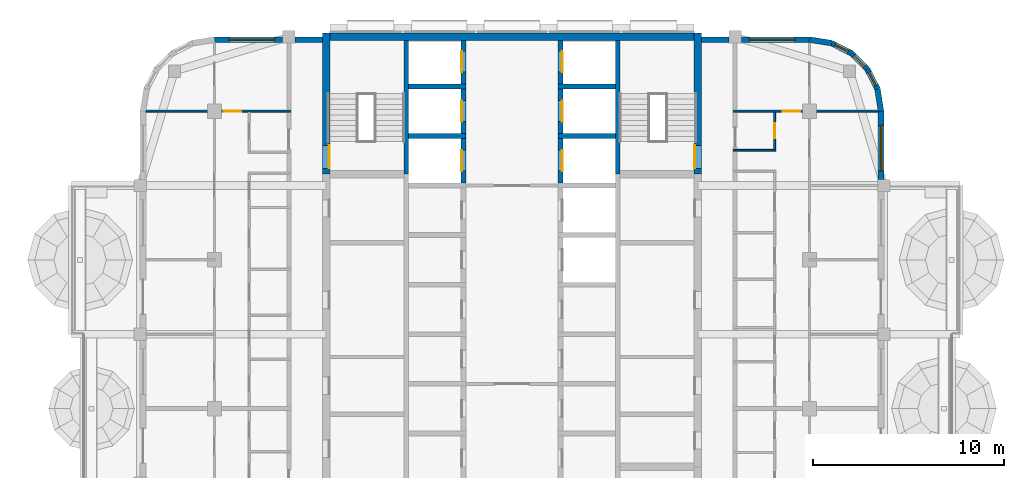
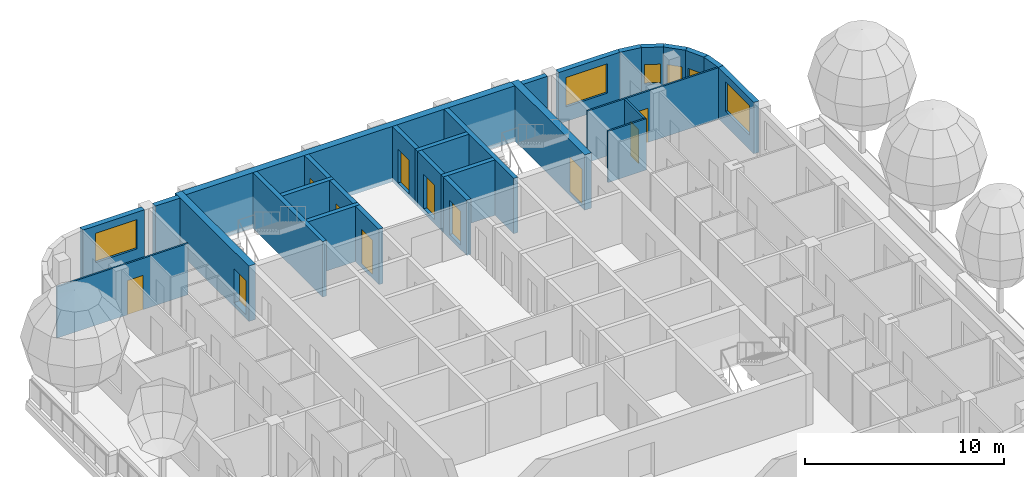
# One storey, part 8 of 13: 29 walls, 11 doors, 6 windows, 17 openings.
"""IFC4 building model written with IfcOpenShell, lengths in metres."""

from ifc_helpers import new_model, si_unit, direction, frame, frame_2d, origin, place, context, subcontext, project, spatial, rectangle, extrude, material, layer, layer_set, type_object, element, fill, save


model = new_model("IFC4")

# Units and contexts
model_context = context("Model", 3, precision=1e-05, world=origin(), true_north=direction((0.0, 1.0)))
body_context = subcontext(model_context, "Body", "Model", "MODEL_VIEW")
ifc_project = project(units=[si_unit("LENGTHUNIT", "METRE"), si_unit("AREAUNIT", "SQUARE_METRE"), si_unit("VOLUMEUNIT", "CUBIC_METRE"), si_unit("PLANEANGLEUNIT", "RADIAN"), si_unit("MASSUNIT", "GRAM", prefix="KILO")], contexts=[model_context])

# Site, building, storey
site_placement = place(None, origin())
site = spatial("IfcSite", under=ifc_project, at=site_placement, CompositionType="ELEMENT")
building_placement = place(site_placement, origin())
building = spatial("IfcBuilding", under=site, at=building_placement, Name="Ludao Terraces", CompositionType="ELEMENT")
storey_placement = place(building_placement, frame((0.0, 0.0, 259.60009765625)))
storey = spatial("IfcBuildingStorey", under=building, at=storey_placement, Name="L71", CompositionType="ELEMENT", Elevation=259.60009765625)

# Wall, opening, door
ifc_material_1 = material(Name="Concrete C50", Category="concrete")
ifc_layer_1 = layer(ifc_material_1, 0.39990234375)
ifc_layer_set_1 = layer_set([ifc_layer_1], Name="Core wall 400 C50")
wall_type_1 = type_object("IfcWallType", Name="Core wall 400 C50", PredefinedType="SOLIDWALL", material=ifc_layer_set_1)
wall_1_placement = place(storey_placement, frame((75.25, 77.300048828125, -0.25), z_axis=(0.0, 0.0, 1.0), x_axis=(0.0, 1.0, 0.0)))
wall_1 = element("IfcWall", 1, at=wall_1_placement, inside=storey, type_object=wall_type_1, Name="Core wall L71 outer-W-S1", PredefinedType="SOLIDWALL", context=body_context, shape_type="SweptSolid", body=[
    extrude(rectangle(XDim=7.39990234375, YDim=0.39990234375, at=frame_2d((3.699951171875, 0.0))), origin(), (0.0, 0.0, 1.0), 3.39990234375),
])
opening_1_placement = place(wall_1_placement, frame((0.300048828125, 0.0, 0.25)))
opening_1 = element("IfcOpeningElement", 2, at=opening_1_placement, cuts=wall_1, Name="Opening R26-073", PredefinedType="OPENING", context=body_context, shape_type="SweptSolid", body=[
    extrude(rectangle(XDim=1.199951171875, YDim=2.10009765625, at=frame_2d((0.60009765625, 1.050048828125))), frame((0.0, 0.2099609375, 0.0), z_axis=(0.0, -1.0, 0.0), x_axis=(1.0, 0.0, 0.0)), (0.0, 0.0, 1.0), 0.419921875),
])
ifc_material_2 = material(Name="Steel Q235", Category="steel")
door_type_1 = type_object("IfcDoorType", Name="INT Stair door 1200", OperationType="DOUBLE_DOOR_SINGLE_SWING", PredefinedType="DOOR", material=ifc_material_2)
door_1_placement = place(opening_1_placement, origin())
door_1 = element("IfcDoor", 3, at=door_1_placement, inside=storey, type_object=door_type_1, Name="DOOR 073", OperationType="DOUBLE_DOOR_SINGLE_SWING", OverallHeight=2.10009765625, OverallWidth=1.199951171875, PredefinedType="DOOR", context=body_context, shape_type="SweptSolid", body=[
    extrude(rectangle(XDim=1.199951171875, YDim=2.10009765625, at=frame_2d((0.60009765625, 1.050048828125))), frame((0.0, -0.134765625, 0.0), z_axis=(0.0, -1.0, 0.0), x_axis=(1.0, 0.0, 0.0)), (0.0, 0.0, 1.0), 0.050048828125),
])
fill(opening_1, door_1)

wall_2_placement = place(storey_placement, frame((94.75, 77.300048828125, -0.25), z_axis=(0.0, 0.0, 1.0), x_axis=(0.0, 1.0, 0.0)))
wall_2 = element("IfcWall", 4, at=wall_2_placement, inside=storey, type_object=wall_type_1, Name="Core wall L71 outer-E-S2", PredefinedType="SOLIDWALL", context=body_context, shape_type="SweptSolid", body=[
    extrude(rectangle(XDim=7.39990234375, YDim=0.39990234375, at=frame_2d((3.699951171875, 0.0))), origin(), (0.0, 0.0, 1.0), 3.39990234375),
])
opening_2_placement = place(wall_2_placement, frame((0.300048828125, 0.0, 0.25)))
opening_2 = element("IfcOpeningElement", 5, at=opening_2_placement, cuts=wall_2, Name="Opening R26-074", PredefinedType="OPENING", context=body_context, shape_type="SweptSolid", body=[
    extrude(rectangle(XDim=1.199951171875, YDim=2.10009765625, at=frame_2d((0.60009765625, 1.050048828125))), frame((0.0, 0.2099609375, 0.0), z_axis=(0.0, -1.0, 0.0), x_axis=(1.0, 0.0, 0.0)), (0.0, 0.0, 1.0), 0.419921875),
])
door_2_placement = place(opening_2_placement, origin())
door_2 = element("IfcDoor", 6, at=door_2_placement, inside=storey, type_object=door_type_1, Name="DOOR 074", OperationType="DOUBLE_DOOR_SINGLE_SWING", OverallHeight=2.10009765625, OverallWidth=1.199951171875, PredefinedType="DOOR", context=body_context, shape_type="SweptSolid", body=[
    extrude(rectangle(XDim=1.199951171875, YDim=2.10009765625, at=frame_2d((0.60009765625, 1.050048828125))), frame((0.0, 0.18505859375, 0.0), z_axis=(0.0, -1.0, 0.0), x_axis=(1.0, 0.0, 0.0)), (0.0, 0.0, 1.0), 0.050048828125),
])
fill(opening_2, door_2)

# Wall
wall_3_placement = place(storey_placement, frame((75.449951171875, 84.5, -0.25), z_axis=(0.0, 0.0, 1.0), x_axis=(1.0, 0.0, 0.0)))
element("IfcWall", 7, at=wall_3_placement, inside=storey, type_object=wall_type_1, Name="Core wall L71 outer-N", PredefinedType="SOLIDWALL", context=body_context, shape_type="SweptSolid", body=[
    extrude(rectangle(XDim=19.10009765625, YDim=0.39990234375, at=frame_2d((9.550048828125, 0.0))), origin(), (0.0, 0.0, 1.0), 3.39990234375),
])

# Wall, opening, window
ifc_material_3 = material(Name="Granite cladding", Category="masonry")
ifc_layer_2 = layer(ifc_material_3, 0.0400390625, Category="stone")
ifc_material_4 = material(Name="Mineral wool")
ifc_layer_3 = layer(ifc_material_4, 0.06005859375)
ifc_material_5 = material(Name="Concrete C40", Category="concrete")
ifc_layer_4 = layer(ifc_material_5, 0.199951171875, Category="concrete")
ifc_layer_set_2 = layer_set([ifc_layer_2, ifc_layer_3, ifc_layer_4], Name="ENV Stone-clad wall 300")
wall_type_2 = type_object("IfcWallType", Name="ENV Stone-clad wall 300", PredefinedType="SOLIDWALL", material=ifc_layer_set_2)
wall_4_placement = place(storey_placement, frame((104.35009765625, 77.02490234375, 0.0), z_axis=(0.0, 0.0, 1.0), x_axis=(0.0, 1.0, 0.0)))
wall_4 = element("IfcWall", 8, at=wall_4_placement, inside=storey, type_object=wall_type_2, Name="EW-L71-E5", PredefinedType="SOLIDWALL", context=body_context, shape_type="SweptSolid", body=[
    extrude(rectangle(XDim=3.5751953125, YDim=0.300048828125, at=frame_2d((1.78759765625, 0.0))), origin(), (0.0, 0.0, 1.0), 3.14990234375),
])
opening_3_placement = place(wall_4_placement, frame((0.425048828125, 0.0, 0.89990234375)))
opening_3 = element("IfcOpeningElement", 9, at=opening_3_placement, cuts=wall_4, Name="Opening W1", PredefinedType="OPENING", context=body_context, shape_type="SweptSolid", body=[
    extrude(rectangle(XDim=2.39990234375, YDim=1.800048828125, at=frame_2d((1.199951171875, 0.89990234375))), frame((0.0, 0.16015625, 0.0), z_axis=(0.0, -1.0, 0.0), x_axis=(1.0, 0.0, 0.0)), (0.0, 0.0, 1.0), 0.320068359375),
])
ifc_material_6 = material(Name="Clear glass in aluminium frame", Category="aluminium")
ifc_layer_5 = layer(ifc_material_6, 0.06005859375)
ifc_layer_set_3 = layer_set([ifc_layer_5], Name="ENV Window W1 2400x1800")
window_type_1 = type_object("IfcWindowType", Name="ENV Window W1 2400x1800", PartitioningType="DOUBLE_PANEL_VERTICAL", PredefinedType="WINDOW", material=ifc_layer_set_3)
window_1_placement = place(opening_3_placement, origin())
window_1 = element("IfcWindow", 10, at=window_1_placement, inside=storey, type_object=window_type_1, Name="W-L71-E5-1", OverallHeight=1.800048828125, OverallWidth=2.39990234375, PartitioningType="DOUBLE_PANEL_VERTICAL", PredefinedType="WINDOW", context=body_context, shape_type="SweptSolid", body=[
    extrude(rectangle(XDim=2.39990234375, YDim=1.800048828125, at=frame_2d((1.199951171875, 0.89990234375))), frame((0.0, 0.030029296875, 0.0), z_axis=(0.0, -1.0, 0.0), x_axis=(1.0, 0.0, 0.0)), (0.0, 0.0, 1.0), 0.06005859375),
])
fill(opening_3, window_1)

wall_5_placement = place(storey_placement, frame((69.39990234375, 84.35009765625, 0.0), z_axis=(0.0, 0.0, 1.0), x_axis=(1.0, 0.0, 0.0)))
wall_5 = element("IfcWall", 11, at=wall_5_placement, inside=storey, type_object=wall_type_2, Name="EW-L71-N1", PredefinedType="SOLIDWALL", context=body_context, shape_type="SweptSolid", body=[
    extrude(rectangle(XDim=3.5751953125, YDim=0.300048828125, at=frame_2d((1.78759765625, 0.0))), origin(), (0.0, 0.0, 1.0), 3.14990234375),
])
opening_4_placement = place(wall_5_placement, frame((0.75, 0.0, 0.89990234375)))
opening_4 = element("IfcOpeningElement", 12, at=opening_4_placement, cuts=wall_5, Name="Opening W1", PredefinedType="OPENING", context=body_context, shape_type="SweptSolid", body=[
    extrude(rectangle(XDim=2.39990234375, YDim=1.800048828125, at=frame_2d((1.199951171875, 0.89990234375))), frame((0.0, 0.16015625, 0.0), z_axis=(0.0, -1.0, 0.0), x_axis=(1.0, 0.0, 0.0)), (0.0, 0.0, 1.0), 0.320068359375),
])
window_2_placement = place(opening_4_placement, origin())
window_2 = element("IfcWindow", 13, at=window_2_placement, inside=storey, type_object=window_type_1, Name="W-L71-N1-1", OverallHeight=1.800048828125, OverallWidth=2.39990234375, PartitioningType="DOUBLE_PANEL_VERTICAL", PredefinedType="WINDOW", context=body_context, shape_type="SweptSolid", body=[
    extrude(rectangle(XDim=2.39990234375, YDim=1.800048828125, at=frame_2d((1.199951171875, 0.89990234375))), frame((0.0, 0.030029296875, 0.0), z_axis=(0.0, -1.0, 0.0), x_axis=(1.0, 0.0, 0.0)), (0.0, 0.0, 1.0), 0.06005859375),
])
fill(opening_4, window_2)

# Walls
for number, where, z_axis, x_axis, name in (
    (14, (73.625, 84.35009765625, 0.0), (0.0, 0.0, 1.0), (1.0, 0.0, 0.0), "EW-L71-N2"),
    (15, (94.949951171875, 84.35009765625, 0.0), (0.0, 0.0, 1.0), (1.0, 0.0, 0.0), "EW-L71-N3"),
):
    element("IfcWall", number, at=place(storey_placement, frame(where, z_axis=z_axis, x_axis=x_axis)), inside=storey, type_object=wall_type_2, Name=name, PredefinedType="SOLIDWALL", context=body_context, shape_type="SweptSolid", body=[
        extrude(rectangle(XDim=1.425048828125, YDim=0.300048828125, at=frame_2d((0.71240234375, 0.0))), origin(), (0.0, 0.0, 1.0), 3.14990234375),
    ])

# Wall, opening, window
wall_6_placement = place(storey_placement, frame((97.02490234375, 84.35009765625, 0.0), z_axis=(0.0, 0.0, 1.0), x_axis=(1.0, 0.0, 0.0)))
wall_6 = element("IfcWall", 16, at=wall_6_placement, inside=storey, type_object=wall_type_2, Name="EW-L71-N4", PredefinedType="SOLIDWALL", context=body_context, shape_type="SweptSolid", body=[
    extrude(rectangle(XDim=3.5751953125, YDim=0.300048828125, at=frame_2d((1.78759765625, 0.0))), origin(), (0.0, 0.0, 1.0), 3.14990234375),
])
opening_5_placement = place(wall_6_placement, frame((0.425048828125, 0.0, 0.89990234375)))
opening_5 = element("IfcOpeningElement", 17, at=opening_5_placement, cuts=wall_6, Name="Opening W1", PredefinedType="OPENING", context=body_context, shape_type="SweptSolid", body=[
    extrude(rectangle(XDim=2.39990234375, YDim=1.800048828125, at=frame_2d((1.199951171875, 0.89990234375))), frame((0.0, 0.16015625, 0.0), z_axis=(0.0, -1.0, 0.0), x_axis=(1.0, 0.0, 0.0)), (0.0, 0.0, 1.0), 0.320068359375),
])
window_3_placement = place(opening_5_placement, origin())
window_3 = element("IfcWindow", 18, at=window_3_placement, inside=storey, type_object=window_type_1, Name="W-L71-N4-1", OverallHeight=1.800048828125, OverallWidth=2.39990234375, PartitioningType="DOUBLE_PANEL_VERTICAL", PredefinedType="WINDOW", context=body_context, shape_type="SweptSolid", body=[
    extrude(rectangle(XDim=2.39990234375, YDim=1.800048828125, at=frame_2d((1.199951171875, 0.89990234375))), frame((0.0, 0.030029296875, 0.0), z_axis=(0.0, -1.0, 0.0), x_axis=(1.0, 0.0, 0.0)), (0.0, 0.0, 1.0), 0.06005859375),
])
fill(opening_5, window_3)

# Wall
wall_7_placement = place(storey_placement, frame((104.35009765625, 80.60009765625, 0.0), z_axis=(0.0, 0.0, 1.0), x_axis=(-0.156496880861, 0.987678452879, 0.0)))
element("IfcWall", 19, at=wall_7_placement, inside=storey, type_object=wall_type_2, Name="EW-L71-NE1", PredefinedType="SOLIDWALL", context=body_context, shape_type="SweptSolid", body=[
    extrude(rectangle(XDim=1.173095703125, YDim=0.300048828125, at=frame_2d((0.58642578125, 0.0))), origin(), (0.0, 0.0, 1.0), 3.14990234375),
])

# Wall, opening, window
wall_8_placement = place(storey_placement, frame((104.16650390625, 81.7587890625, 0.0), z_axis=(0.0, 0.0, 1.0), x_axis=(-0.454025524128, 0.890988677504, 0.0)))
wall_8 = element("IfcWall", 20, at=wall_8_placement, inside=storey, type_object=wall_type_2, Name="EW-L71-NE2", PredefinedType="SOLIDWALL", context=body_context, shape_type="SweptSolid", body=[
    extrude(rectangle(XDim=1.17333984375, YDim=0.300048828125, at=frame_2d((0.586669921875, 0.0))), origin(), (0.0, 0.0, 1.0), 3.14990234375),
])
opening_6_placement = place(wall_8_placement, frame((0.1865234375, 0.0, 0.89990234375)))
opening_6 = element("IfcOpeningElement", 21, at=opening_6_placement, cuts=wall_8, Name="Opening W3", PredefinedType="OPENING", context=body_context, shape_type="SweptSolid", body=[
    extrude(rectangle(XDim=0.800048828125, YDim=1.199951171875, at=frame_2d((0.39990234375, 0.60009765625))), frame((0.0, 0.16015625, 0.0), z_axis=(0.0, -1.0, 0.0), x_axis=(1.0, 0.0, 0.0)), (0.0, 0.0, 1.0), 0.320068359375),
])
ifc_layer_6 = layer(ifc_material_6, 0.06005859375)
ifc_layer_set_4 = layer_set([ifc_layer_6], Name="ENV Window W3 800x1200")
window_type_2 = type_object("IfcWindowType", Name="ENV Window W3 800x1200", PartitioningType="SINGLE_PANEL", PredefinedType="WINDOW", material=ifc_layer_set_4)
window_4_placement = place(opening_6_placement, origin())
window_4 = element("IfcWindow", 22, at=window_4_placement, inside=storey, type_object=window_type_2, Name="W-L71-NE2", OverallHeight=1.199951171875, OverallWidth=0.800048828125, PartitioningType="SINGLE_PANEL", PredefinedType="WINDOW", context=body_context, shape_type="SweptSolid", body=[
    extrude(rectangle(XDim=0.800048828125, YDim=1.199951171875, at=frame_2d((0.39990234375, 0.60009765625))), frame((0.0, 0.030029296875, 0.0), z_axis=(0.0, -1.0, 0.0), x_axis=(1.0, 0.0, 0.0)), (0.0, 0.0, 1.0), 0.06005859375),
])
fill(opening_6, window_4)

wall_9_placement = place(storey_placement, frame((103.6337890625, 82.80419921875, 0.0), z_axis=(0.0, 0.0, 1.0), x_axis=(-0.707106781187, 0.707106781187, 0.0)))
wall_9 = element("IfcWall", 23, at=wall_9_placement, inside=storey, type_object=wall_type_2, Name="EW-L71-NE3", PredefinedType="SOLIDWALL", context=body_context, shape_type="SweptSolid", body=[
    extrude(rectangle(XDim=1.173095703125, YDim=0.300048828125, at=frame_2d((0.58642578125, 0.0))), origin(), (0.0, 0.0, 1.0), 3.14990234375),
])
opening_7_placement = place(wall_9_placement, frame((0.1865234375, 0.0, 0.89990234375)))
opening_7 = element("IfcOpeningElement", 24, at=opening_7_placement, cuts=wall_9, Name="Opening W3", PredefinedType="OPENING", context=body_context, shape_type="SweptSolid", body=[
    extrude(rectangle(XDim=0.800048828125, YDim=1.199951171875, at=frame_2d((0.39990234375, 0.60009765625))), frame((0.0, 0.16015625, 0.0), z_axis=(0.0, -1.0, 0.0), x_axis=(1.0, 0.0, 0.0)), (0.0, 0.0, 1.0), 0.320068359375),
])
window_5_placement = place(opening_7_placement, origin())
window_5 = element("IfcWindow", 25, at=window_5_placement, inside=storey, type_object=window_type_2, Name="W-L71-NE3", OverallHeight=1.199951171875, OverallWidth=0.800048828125, PartitioningType="SINGLE_PANEL", PredefinedType="WINDOW", context=body_context, shape_type="SweptSolid", body=[
    extrude(rectangle(XDim=0.800048828125, YDim=1.199951171875, at=frame_2d((0.39990234375, 0.60009765625))), frame((0.0, 0.030029296875, 0.0), z_axis=(0.0, -1.0, 0.0), x_axis=(1.0, 0.0, 0.0)), (0.0, 0.0, 1.0), 0.06005859375),
])
fill(opening_7, window_5)

wall_10_placement = place(storey_placement, frame((102.80419921875, 83.6337890625, 0.0), z_axis=(0.0, 0.0, 1.0), x_axis=(-0.890988677504, 0.454025524128, 0.0)))
wall_10 = element("IfcWall", 26, at=wall_10_placement, inside=storey, type_object=wall_type_2, Name="EW-L71-NE4", PredefinedType="SOLIDWALL", context=body_context, shape_type="SweptSolid", body=[
    extrude(rectangle(XDim=1.17333984375, YDim=0.300048828125, at=frame_2d((0.586669921875, 0.0))), origin(), (0.0, 0.0, 1.0), 3.14990234375),
])
opening_8_placement = place(wall_10_placement, frame((0.1865234375, 0.0, 0.89990234375)))
opening_8 = element("IfcOpeningElement", 27, at=opening_8_placement, cuts=wall_10, Name="Opening W3", PredefinedType="OPENING", context=body_context, shape_type="SweptSolid", body=[
    extrude(rectangle(XDim=0.800048828125, YDim=1.199951171875, at=frame_2d((0.39990234375, 0.60009765625))), frame((0.0, 0.16015625, 0.0), z_axis=(0.0, -1.0, 0.0), x_axis=(1.0, 0.0, 0.0)), (0.0, 0.0, 1.0), 0.320068359375),
])
window_6_placement = place(opening_8_placement, origin())
window_6 = element("IfcWindow", 28, at=window_6_placement, inside=storey, type_object=window_type_2, Name="W-L71-NE4", OverallHeight=1.199951171875, OverallWidth=0.800048828125, PartitioningType="SINGLE_PANEL", PredefinedType="WINDOW", context=body_context, shape_type="SweptSolid", body=[
    extrude(rectangle(XDim=0.800048828125, YDim=1.199951171875, at=frame_2d((0.39990234375, 0.60009765625))), frame((0.0, 0.030029296875, 0.0), z_axis=(0.0, -1.0, 0.0), x_axis=(1.0, 0.0, 0.0)), (0.0, 0.0, 1.0), 0.06005859375),
])
fill(opening_8, window_6)

# Walls
wall_11_placement = place(storey_placement, frame((101.7587890625, 84.16650390625, 0.0), z_axis=(0.0, 0.0, 1.0), x_axis=(-0.987678452879, 0.156496880861, 0.0)))
element("IfcWall", 29, at=wall_11_placement, inside=storey, type_object=wall_type_2, Name="EW-L71-NE5", PredefinedType="SOLIDWALL", context=body_context, shape_type="SweptSolid", body=[
    extrude(rectangle(XDim=1.173095703125, YDim=0.300048828125, at=frame_2d((0.58642578125, 0.0))), origin(), (0.0, 0.0, 1.0), 3.14990234375),
])
ifc_material_7 = material(Name="Gypsum plasterboard", Category="gypsum")
ifc_layer_7 = layer(ifc_material_7, 0.012451171875, Category="gypsum")
ifc_layer_8 = layer(ifc_material_4, 0.06005859375, Name="insulation")
ifc_layer_9 = layer(ifc_material_2, 0.014892578125, Name="stud")
ifc_layer_10 = layer(ifc_material_7, 0.012451171875, Category="gypsum")
ifc_layer_set_5 = layer_set([ifc_layer_7, ifc_layer_8, ifc_layer_9, ifc_layer_10], Name="INT Partition 100")
wall_type_3 = type_object("IfcWallType", Name="INT Partition 100", PredefinedType="PARTITIONING", material=ifc_layer_set_5)
wall_12_placement = place(storey_placement, frame((96.60009765625, 78.550048828125, 0.0), z_axis=(0.0, 0.0, 1.0), x_axis=(1.0, 0.0, 0.0)))
element("IfcWall", 30, at=wall_12_placement, inside=storey, type_object=wall_type_3, Name="PW-L71-PW044", PredefinedType="PARTITIONING", context=body_context, shape_type="SweptSolid", body=[
    extrude(rectangle(XDim=2.219970703125, YDim=0.10009765625, at=frame_2d((1.10986328125, 0.0))), origin(), (0.0, 0.0, 1.0), 3.14990234375),
])

# Wall, opening, door
wall_13_placement = place(storey_placement, frame((65.800048828125, 80.60009765625, 0.0), z_axis=(0.0, 0.0, 1.0), x_axis=(1.0, 0.0, 0.0)))
wall_13 = element("IfcWall", 31, at=wall_13_placement, inside=storey, type_object=wall_type_3, Name="PW-L71-PW045", PredefinedType="PARTITIONING", context=body_context, shape_type="SweptSolid", body=[
    extrude(rectangle(XDim=7.60009765625, YDim=0.10009765625, at=frame_2d((3.800048828125, 0.0))), origin(), (0.0, 0.0, 1.0), 3.14990234375),
])
opening_9_placement = place(wall_13_placement, frame((4.090087890625, 0.0, 0.0)))
opening_9 = element("IfcOpeningElement", 32, at=opening_9_placement, cuts=wall_13, Name="Opening R26-080", PredefinedType="OPENING", context=body_context, shape_type="SweptSolid", body=[
    extrude(rectangle(XDim=0.89990234375, YDim=2.10009765625, at=frame_2d((0.449951171875, 1.050048828125))), frame((0.0, 0.06005859375, 0.0), z_axis=(0.0, -1.0, 0.0), x_axis=(1.0, 0.0, 0.0)), (0.0, 0.0, 1.0), 0.1201171875),
])
ifc_material_8 = material(Name="Timber door leaf", Category="wood")
door_type_2 = type_object("IfcDoorType", Name="INT Room door 900", OperationType="SINGLE_SWING_LEFT", PredefinedType="DOOR", material=ifc_material_8)
door_3_placement = place(opening_9_placement, origin())
door_3 = element("IfcDoor", 33, at=door_3_placement, inside=storey, type_object=door_type_2, Name="DOOR 080", OperationType="SINGLE_SWING_LEFT", OverallHeight=2.10009765625, OverallWidth=0.89990234375, PredefinedType="DOOR", context=body_context, shape_type="SweptSolid", body=[
    extrude(rectangle(XDim=0.89990234375, YDim=2.10009765625, at=frame_2d((0.449951171875, 1.050048828125))), frame((0.0, 0.02490234375, 0.0), z_axis=(0.0, -1.0, 0.0), x_axis=(1.0, 0.0, 0.0)), (0.0, 0.0, 1.0), 0.050048828125),
])
fill(opening_9, door_3)

wall_14_placement = place(storey_placement, frame((96.60009765625, 80.60009765625, 0.0), z_axis=(0.0, 0.0, 1.0), x_axis=(1.0, 0.0, 0.0)))
wall_14 = element("IfcWall", 34, at=wall_14_placement, inside=storey, type_object=wall_type_3, Name="PW-L71-PW046", PredefinedType="PARTITIONING", context=body_context, shape_type="SweptSolid", body=[
    extrude(rectangle(XDim=7.60009765625, YDim=0.10009765625, at=frame_2d((3.800048828125, 0.0))), origin(), (0.0, 0.0, 1.0), 3.14990234375),
])
opening_10_placement = place(wall_14_placement, frame((2.610107421875, 0.0, 0.0)))
opening_10 = element("IfcOpeningElement", 35, at=opening_10_placement, cuts=wall_14, Name="Opening R26-083", PredefinedType="OPENING", context=body_context, shape_type="SweptSolid", body=[
    extrude(rectangle(XDim=0.89990234375, YDim=2.10009765625, at=frame_2d((0.449951171875, 1.050048828125))), frame((0.0, 0.06005859375, 0.0), z_axis=(0.0, -1.0, 0.0), x_axis=(1.0, 0.0, 0.0)), (0.0, 0.0, 1.0), 0.1201171875),
])
door_4_placement = place(opening_10_placement, origin())
door_4 = element("IfcDoor", 36, at=door_4_placement, inside=storey, type_object=door_type_2, Name="DOOR 083", OperationType="SINGLE_SWING_RIGHT", OverallHeight=2.10009765625, OverallWidth=0.89990234375, PredefinedType="DOOR", context=body_context, shape_type="SweptSolid", body=[
    extrude(rectangle(XDim=0.89990234375, YDim=2.10009765625, at=frame_2d((0.449951171875, 1.050048828125))), frame((0.0, 0.02490234375, 0.0), z_axis=(0.0, -1.0, 0.0), x_axis=(1.0, 0.0, 0.0)), (0.0, 0.0, 1.0), 0.050048828125),
])
fill(opening_10, door_4)

wall_15_placement = place(storey_placement, frame((98.77001953125, 78.60009765625, 0.0), z_axis=(0.0, 0.0, 1.0), x_axis=(0.0, 1.0, 0.0)))
wall_15 = element("IfcWall", 37, at=wall_15_placement, inside=storey, type_object=wall_type_3, Name="PW-L71-PW059", PredefinedType="PARTITIONING", context=body_context, shape_type="SweptSolid", body=[
    extrude(rectangle(XDim=1.949951171875, YDim=0.10009765625, at=frame_2d((0.97509765625, 0.0))), origin(), (0.0, 0.0, 1.0), 3.14990234375),
])
opening_11_placement = place(wall_15_placement, frame((0.574951171875, 0.0, 0.0)))
opening_11 = element("IfcOpeningElement", 38, at=opening_11_placement, cuts=wall_15, Name="Opening R26-079", PredefinedType="OPENING", context=body_context, shape_type="SweptSolid", body=[
    extrude(rectangle(XDim=0.800048828125, YDim=2.10009765625, at=frame_2d((0.39990234375, 1.050048828125))), frame((0.0, 0.06005859375, 0.0), z_axis=(0.0, -1.0, 0.0), x_axis=(1.0, 0.0, 0.0)), (0.0, 0.0, 1.0), 0.1201171875),
])
door_type_3 = type_object("IfcDoorType", Name="INT Store door 800", OperationType="SINGLE_SWING_LEFT", PredefinedType="DOOR", material=ifc_material_8)
door_5_placement = place(opening_11_placement, origin())
door_5 = element("IfcDoor", 39, at=door_5_placement, inside=storey, type_object=door_type_3, Name="DOOR 079", OperationType="SINGLE_SWING_LEFT", OverallHeight=2.10009765625, OverallWidth=0.800048828125, PredefinedType="DOOR", context=body_context, shape_type="SweptSolid", body=[
    extrude(rectangle(XDim=0.800048828125, YDim=2.10009765625, at=frame_2d((0.39990234375, 1.050048828125))), frame((0.0, 0.02490234375, 0.0), z_axis=(0.0, -1.0, 0.0), x_axis=(1.0, 0.0, 0.0)), (0.0, 0.0, 1.0), 0.050048828125),
])
fill(opening_11, door_5)

# Walls
ifc_layer_11 = layer(ifc_material_1, 0.25)
ifc_layer_set_6 = layer_set([ifc_layer_11], Name="Shaft wall 250 C50")
wall_type_4 = type_object("IfcWallType", Name="Shaft wall 250 C50", PredefinedType="SOLIDWALL", material=ifc_layer_set_6)
for number, where, z_axis, x_axis, name in (
    (40, (79.449951171875, 77.300048828125, -0.25), (0.0, 0.0, 1.0), (0.0, 1.0, 0.0), "Core wall L71 back-W-S1"),
    (41, (90.550048828125, 77.300048828125, -0.25), (0.0, 0.0, 1.0), (0.0, 1.0, 0.0), "Core wall L71 back-E-S2"),
):
    element("IfcWall", number, at=place(storey_placement, frame(where, z_axis=z_axis, x_axis=x_axis)), inside=storey, type_object=wall_type_4, Name=name, PredefinedType="SOLIDWALL", context=body_context, shape_type="SweptSolid", body=[
        extrude(rectangle(XDim=7.0, YDim=0.25, at=frame_2d((3.5, 0.0))), origin(), (0.0, 0.0, 1.0), 3.39990234375),
    ])

# Wall, opening, door
wall_16_placement = place(storey_placement, frame((82.449951171875, 76.824951171875, -0.25), z_axis=(0.0, 0.0, 1.0), x_axis=(0.0, 1.0, 0.0)))
wall_16 = element("IfcWall", 42, at=wall_16_placement, inside=storey, type_object=wall_type_4, Name="Core wall L71 front-W7", PredefinedType="SOLIDWALL", context=body_context, shape_type="SweptSolid", body=[
    extrude(rectangle(XDim=2.35009765625, YDim=0.25, at=frame_2d((1.175048828125, 0.0))), origin(), (0.0, 0.0, 1.0), 3.39990234375),
])
opening_12_placement = place(wall_16_placement, frame((0.625, 0.0, 0.25)))
opening_12 = element("IfcOpeningElement", 43, at=opening_12_placement, cuts=wall_16, Name="Opening LD-FF1", PredefinedType="OPENING", context=body_context, shape_type="SweptSolid", body=[
    extrude(rectangle(XDim=1.10009765625, YDim=2.10009765625, at=frame_2d((0.550048828125, 1.050048828125))), frame((0.0, 0.135009765625, 0.0), z_axis=(0.0, -1.0, 0.0), x_axis=(1.0, 0.0, 0.0)), (0.0, 0.0, 1.0), 0.27001953125),
])
ifc_material_9 = material(Name="Stainless steel 304", Category="steel")
door_type_4 = type_object("IfcDoorType", Name="INT Lift landing door 1100", OperationType="SLIDING_TO_LEFT", PredefinedType="DOOR", material=ifc_material_9)
door_6_placement = place(opening_12_placement, origin())
door_6 = element("IfcDoor", 44, at=door_6_placement, inside=storey, type_object=door_type_4, Name="LANDING DOOR FF1 L71", OperationType="SLIDING_TO_LEFT", OverallHeight=2.10009765625, OverallWidth=1.10009765625, PredefinedType="DOOR", context=body_context, shape_type="SweptSolid", body=[
    extrude(rectangle(XDim=1.10009765625, YDim=2.10009765625, at=frame_2d((0.550048828125, 1.050048828125))), frame((0.0, 0.10986328125, 0.0), z_axis=(0.0, -1.0, 0.0), x_axis=(1.0, 0.0, 0.0)), (0.0, 0.0, 1.0), 0.050048828125),
])
fill(opening_12, door_6)

# Wall
wall_17_placement = place(storey_placement, frame((79.574951171875, 79.300048828125, -0.25), z_axis=(0.0, 0.0, 1.0), x_axis=(1.0, 0.0, 0.0)))
element("IfcWall", 45, at=wall_17_placement, inside=storey, type_object=wall_type_4, Name="Core wall L71 div-W8", PredefinedType="SOLIDWALL", context=body_context, shape_type="SweptSolid", body=[
    extrude(rectangle(XDim=3.0, YDim=0.25, at=frame_2d((1.5, 0.0))), origin(), (0.0, 0.0, 1.0), 3.39990234375),
])

# Wall, opening, door
wall_18_placement = place(storey_placement, frame((82.449951171875, 79.425048828125, -0.25), z_axis=(0.0, 0.0, 1.0), x_axis=(0.0, 1.0, 0.0)))
wall_18 = element("IfcWall", 46, at=wall_18_placement, inside=storey, type_object=wall_type_4, Name="Core wall L71 front-W8", PredefinedType="SOLIDWALL", context=body_context, shape_type="SweptSolid", body=[
    extrude(rectangle(XDim=2.349853515625, YDim=0.25, at=frame_2d((1.1748046875, 0.0))), origin(), (0.0, 0.0, 1.0), 3.39990234375),
])
opening_13_placement = place(wall_18_placement, frame((0.625, 0.0, 0.25)))
opening_13 = element("IfcOpeningElement", 47, at=opening_13_placement, cuts=wall_18, Name="Opening LD-FF2", PredefinedType="OPENING", context=body_context, shape_type="SweptSolid", body=[
    extrude(rectangle(XDim=1.10009765625, YDim=2.10009765625, at=frame_2d((0.550048828125, 1.050048828125))), frame((0.0, 0.135009765625, 0.0), z_axis=(0.0, -1.0, 0.0), x_axis=(1.0, 0.0, 0.0)), (0.0, 0.0, 1.0), 0.27001953125),
])
door_7_placement = place(opening_13_placement, origin())
door_7 = element("IfcDoor", 48, at=door_7_placement, inside=storey, type_object=door_type_4, Name="LANDING DOOR FF2 L71", OperationType="SLIDING_TO_LEFT", OverallHeight=2.10009765625, OverallWidth=1.10009765625, PredefinedType="DOOR", context=body_context, shape_type="SweptSolid", body=[
    extrude(rectangle(XDim=1.10009765625, YDim=2.10009765625, at=frame_2d((0.550048828125, 1.050048828125))), frame((0.0, 0.10986328125, 0.0), z_axis=(0.0, -1.0, 0.0), x_axis=(1.0, 0.0, 0.0)), (0.0, 0.0, 1.0), 0.050048828125),
])
fill(opening_13, door_7)

# Wall
wall_19_placement = place(storey_placement, frame((79.574951171875, 81.89990234375, -0.25), z_axis=(0.0, 0.0, 1.0), x_axis=(1.0, 0.0, 0.0)))
element("IfcWall", 49, at=wall_19_placement, inside=storey, type_object=wall_type_4, Name="Core wall L71 div-W9", PredefinedType="SOLIDWALL", context=body_context, shape_type="SweptSolid", body=[
    extrude(rectangle(XDim=3.0, YDim=0.25, at=frame_2d((1.5, 0.0))), origin(), (0.0, 0.0, 1.0), 3.39990234375),
])

# Wall, opening, door
wall_20_placement = place(storey_placement, frame((82.449951171875, 82.02490234375, -0.25), z_axis=(0.0, 0.0, 1.0), x_axis=(0.0, 1.0, 0.0)))
wall_20 = element("IfcWall", 50, at=wall_20_placement, inside=storey, type_object=wall_type_4, Name="Core wall L71 front-W9", PredefinedType="SOLIDWALL", context=body_context, shape_type="SweptSolid", body=[
    extrude(rectangle(XDim=2.275146484375, YDim=0.25, at=frame_2d((1.1376953125, 0.0))), origin(), (0.0, 0.0, 1.0), 3.39990234375),
])
opening_14_placement = place(wall_20_placement, frame((0.625, 0.0, 0.25)))
opening_14 = element("IfcOpeningElement", 51, at=opening_14_placement, cuts=wall_20, Name="Opening LD-LB6", PredefinedType="OPENING", context=body_context, shape_type="SweptSolid", body=[
    extrude(rectangle(XDim=1.10009765625, YDim=2.10009765625, at=frame_2d((0.550048828125, 1.050048828125))), frame((0.0, 0.135009765625, 0.0), z_axis=(0.0, -1.0, 0.0), x_axis=(1.0, 0.0, 0.0)), (0.0, 0.0, 1.0), 0.27001953125),
])
door_8_placement = place(opening_14_placement, origin())
door_8 = element("IfcDoor", 52, at=door_8_placement, inside=storey, type_object=door_type_4, Name="LANDING DOOR LB6 L71", OperationType="SLIDING_TO_RIGHT", OverallHeight=2.10009765625, OverallWidth=1.10009765625, PredefinedType="DOOR", context=body_context, shape_type="SweptSolid", body=[
    extrude(rectangle(XDim=1.10009765625, YDim=2.10009765625, at=frame_2d((0.550048828125, 1.050048828125))), frame((0.0, 0.10986328125, 0.0), z_axis=(0.0, -1.0, 0.0), x_axis=(1.0, 0.0, 0.0)), (0.0, 0.0, 1.0), 0.050048828125),
])
fill(opening_14, door_8)

wall_21_placement = place(storey_placement, frame((87.550048828125, 76.824951171875, -0.25), z_axis=(0.0, 0.0, 1.0), x_axis=(0.0, 1.0, 0.0)))
wall_21 = element("IfcWall", 53, at=wall_21_placement, inside=storey, type_object=wall_type_4, Name="Core wall L71 front-E7", PredefinedType="SOLIDWALL", context=body_context, shape_type="SweptSolid", body=[
    extrude(rectangle(XDim=2.35009765625, YDim=0.25, at=frame_2d((1.175048828125, 0.0))), origin(), (0.0, 0.0, 1.0), 3.39990234375),
])
opening_15_placement = place(wall_21_placement, frame((0.625, 0.0, 0.25)))
opening_15 = element("IfcOpeningElement", 54, at=opening_15_placement, cuts=wall_21, Name="Opening LD-LB3", PredefinedType="OPENING", context=body_context, shape_type="SweptSolid", body=[
    extrude(rectangle(XDim=1.10009765625, YDim=2.10009765625, at=frame_2d((0.550048828125, 1.050048828125))), frame((0.0, 0.135009765625, 0.0), z_axis=(0.0, -1.0, 0.0), x_axis=(1.0, 0.0, 0.0)), (0.0, 0.0, 1.0), 0.27001953125),
])
door_9_placement = place(opening_15_placement, origin())
door_9 = element("IfcDoor", 55, at=door_9_placement, inside=storey, type_object=door_type_4, Name="LANDING DOOR LB3 L71", OperationType="SLIDING_TO_LEFT", OverallHeight=2.10009765625, OverallWidth=1.10009765625, PredefinedType="DOOR", context=body_context, shape_type="SweptSolid", body=[
    extrude(rectangle(XDim=1.10009765625, YDim=2.10009765625, at=frame_2d((0.550048828125, 1.050048828125))), frame((0.0, -0.06005859375, 0.0), z_axis=(0.0, -1.0, 0.0), x_axis=(1.0, 0.0, 0.0)), (0.0, 0.0, 1.0), 0.050048828125),
])
fill(opening_15, door_9)

# Wall
wall_22_placement = place(storey_placement, frame((87.425048828125, 79.300048828125, -0.25), z_axis=(0.0, 0.0, 1.0), x_axis=(1.0, 0.0, 0.0)))
element("IfcWall", 56, at=wall_22_placement, inside=storey, type_object=wall_type_4, Name="Core wall L71 div-E8", PredefinedType="SOLIDWALL", context=body_context, shape_type="SweptSolid", body=[
    extrude(rectangle(XDim=3.0, YDim=0.25, at=frame_2d((1.5, 0.0))), origin(), (0.0, 0.0, 1.0), 3.39990234375),
])

# Wall, opening, door
wall_23_placement = place(storey_placement, frame((87.550048828125, 79.425048828125, -0.25), z_axis=(0.0, 0.0, 1.0), x_axis=(0.0, 1.0, 0.0)))
wall_23 = element("IfcWall", 57, at=wall_23_placement, inside=storey, type_object=wall_type_4, Name="Core wall L71 front-E8", PredefinedType="SOLIDWALL", context=body_context, shape_type="SweptSolid", body=[
    extrude(rectangle(XDim=2.349853515625, YDim=0.25, at=frame_2d((1.1748046875, 0.0))), origin(), (0.0, 0.0, 1.0), 3.39990234375),
])
opening_16_placement = place(wall_23_placement, frame((0.625, 0.0, 0.25)))
opening_16 = element("IfcOpeningElement", 58, at=opening_16_placement, cuts=wall_23, Name="Opening LD-LB4", PredefinedType="OPENING", context=body_context, shape_type="SweptSolid", body=[
    extrude(rectangle(XDim=1.10009765625, YDim=2.10009765625, at=frame_2d((0.550048828125, 1.050048828125))), frame((0.0, 0.135009765625, 0.0), z_axis=(0.0, -1.0, 0.0), x_axis=(1.0, 0.0, 0.0)), (0.0, 0.0, 1.0), 0.27001953125),
])
door_10_placement = place(opening_16_placement, origin())
door_10 = element("IfcDoor", 59, at=door_10_placement, inside=storey, type_object=door_type_4, Name="LANDING DOOR LB4 L71", OperationType="SLIDING_TO_RIGHT", OverallHeight=2.10009765625, OverallWidth=1.10009765625, PredefinedType="DOOR", context=body_context, shape_type="SweptSolid", body=[
    extrude(rectangle(XDim=1.10009765625, YDim=2.10009765625, at=frame_2d((0.550048828125, 1.050048828125))), frame((0.0, -0.06005859375, 0.0), z_axis=(0.0, -1.0, 0.0), x_axis=(1.0, 0.0, 0.0)), (0.0, 0.0, 1.0), 0.050048828125),
])
fill(opening_16, door_10)

# Wall
wall_24_placement = place(storey_placement, frame((87.425048828125, 81.89990234375, -0.25), z_axis=(0.0, 0.0, 1.0), x_axis=(1.0, 0.0, 0.0)))
element("IfcWall", 60, at=wall_24_placement, inside=storey, type_object=wall_type_4, Name="Core wall L71 div-E9", PredefinedType="SOLIDWALL", context=body_context, shape_type="SweptSolid", body=[
    extrude(rectangle(XDim=3.0, YDim=0.25, at=frame_2d((1.5, 0.0))), origin(), (0.0, 0.0, 1.0), 3.39990234375),
])

# Wall, opening, door
wall_25_placement = place(storey_placement, frame((87.550048828125, 82.02490234375, -0.25), z_axis=(0.0, 0.0, 1.0), x_axis=(0.0, 1.0, 0.0)))
wall_25 = element("IfcWall", 61, at=wall_25_placement, inside=storey, type_object=wall_type_4, Name="Core wall L71 front-E9", PredefinedType="SOLIDWALL", context=body_context, shape_type="SweptSolid", body=[
    extrude(rectangle(XDim=2.275146484375, YDim=0.25, at=frame_2d((1.1376953125, 0.0))), origin(), (0.0, 0.0, 1.0), 3.39990234375),
])
opening_17_placement = place(wall_25_placement, frame((0.625, 0.0, 0.25)))
opening_17 = element("IfcOpeningElement", 62, at=opening_17_placement, cuts=wall_25, Name="Opening LD-LB5", PredefinedType="OPENING", context=body_context, shape_type="SweptSolid", body=[
    extrude(rectangle(XDim=1.10009765625, YDim=2.10009765625, at=frame_2d((0.550048828125, 1.050048828125))), frame((0.0, 0.135009765625, 0.0), z_axis=(0.0, -1.0, 0.0), x_axis=(1.0, 0.0, 0.0)), (0.0, 0.0, 1.0), 0.27001953125),
])
door_11_placement = place(opening_17_placement, origin())
door_11 = element("IfcDoor", 63, at=door_11_placement, inside=storey, type_object=door_type_4, Name="LANDING DOOR LB5 L71", OperationType="SLIDING_TO_RIGHT", OverallHeight=2.10009765625, OverallWidth=1.10009765625, PredefinedType="DOOR", context=body_context, shape_type="SweptSolid", body=[
    extrude(rectangle(XDim=1.10009765625, YDim=2.10009765625, at=frame_2d((0.550048828125, 1.050048828125))), frame((0.0, -0.06005859375, 0.0), z_axis=(0.0, -1.0, 0.0), x_axis=(1.0, 0.0, 0.0)), (0.0, 0.0, 1.0), 0.050048828125),
])
fill(opening_17, door_11)

save(model, "model.ifc")
